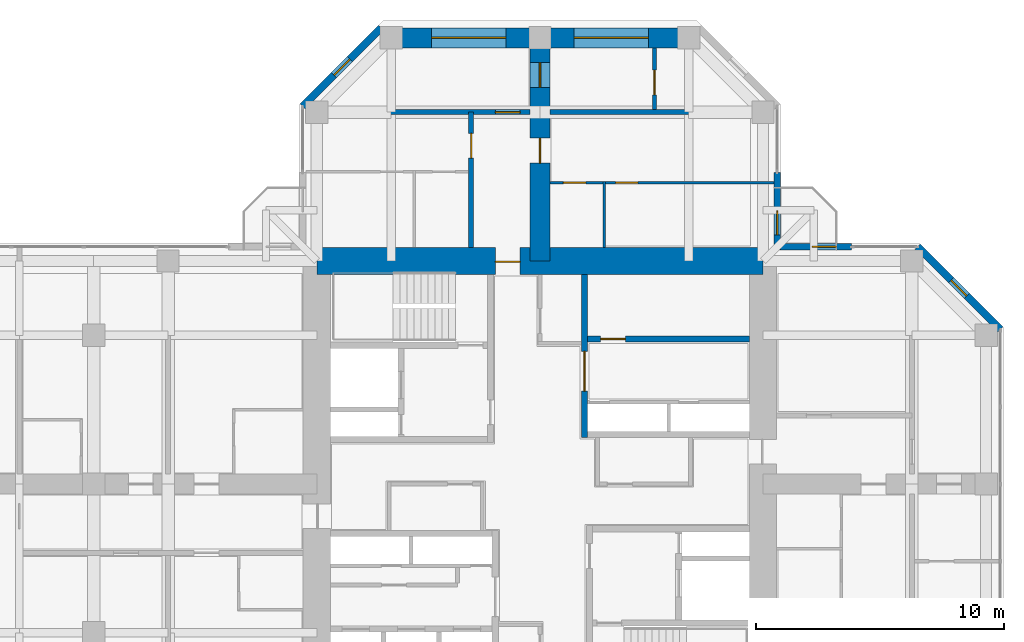
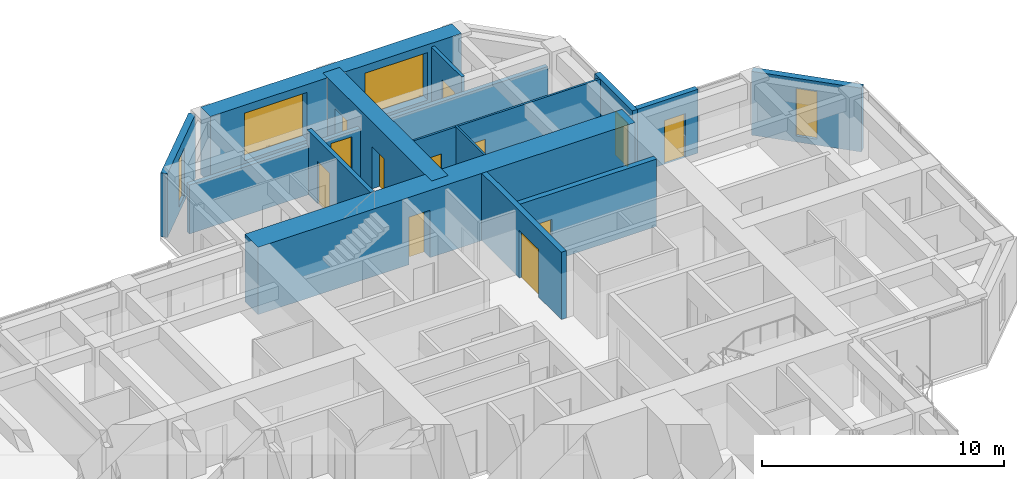
# One storey, part 12 of 14: 15 walls, 12 doors, 4 windows, 16 openings.
"""IFC4 building model written with IfcOpenShell, lengths in metres."""

from ifc_helpers import new_model, si_unit, direction, frame, frame_2d, origin, place, context, subcontext, project, spatial, rectangle, hollow_rectangle, extrude, material, layer, layer_set, constituent, constituent_set, type_object, element, fill, save


model = new_model("IFC4")

# Units and contexts
model_context = context("Model", 3, precision=1e-05, world=origin(), true_north=direction((0.0, 1.0)))
body_context = subcontext(model_context, "Body", "Model", "MODEL_VIEW")
ifc_project = project(units=[si_unit("LENGTHUNIT", "METRE"), si_unit("AREAUNIT", "SQUARE_METRE"), si_unit("VOLUMEUNIT", "CUBIC_METRE"), si_unit("PLANEANGLEUNIT", "RADIAN"), si_unit("MASSUNIT", "GRAM", prefix="KILO")], contexts=[model_context])

# Site, building, storey
site_placement = place(None, origin())
site = spatial("IfcSite", under=ifc_project, at=site_placement, CompositionType="ELEMENT")
building_placement = place(site_placement, origin())
building = spatial("IfcBuilding", under=site, at=building_placement, Name="Torre Cruceta", CompositionType="ELEMENT")
storey_placement = place(building_placement, frame((0.0, 0.0, 210.300048828125)))
storey = spatial("IfcBuildingStorey", under=building, at=storey_placement, Name="L53", CompositionType="ELEMENT", Elevation=210.300048828125)

# Wall
ifc_material_1 = material(Name="Water-resistant plasterboard on steel studs", Category="steel")
ifc_layer_1 = layer(ifc_material_1, 0.10009765625)
ifc_layer_set_1 = layer_set([ifc_layer_1], Name="Water-resistant plasterboard on steel studs")
wall_type_1 = type_object("IfcWallType", Name="BATHROOM WALL 100", PredefinedType="PARTITIONING", material=ifc_layer_set_1)
wall_1_placement = place(storey_placement, frame((2.60009765625, 9.550048828125, 0.0), z_axis=(0.0, 0.0, 1.0), x_axis=(0.0, 1.0, 0.0)))
element("IfcWall", 1, at=wall_1_placement, inside=storey, type_object=wall_type_1, Name="PT4 L53-N-U1RBB", PredefinedType="PARTITIONING", context=body_context, shape_type="SweptSolid", body=[
    extrude(rectangle(XDim=2.64990234375, YDim=0.10009765625, at=frame_2d((1.324951171875, 0.0))), origin(), (0.0, 0.0, 1.0), 3.219970703125),
])

# Wall, openings, doors
wall_2_placement = place(storey_placement, frame((9.445068359375, 12.14990234375, 0.0), z_axis=(0.0, 0.0, 1.0), x_axis=(-1.0, 0.0, 0.0)))
wall_2 = element("IfcWall", 2, at=wall_2_placement, inside=storey, type_object=wall_type_1, Name="PT4 L53-N-U1RBS", PredefinedType="PARTITIONING", context=body_context, shape_type="SweptSolid", body=[
    extrude(rectangle(XDim=9.045166015625, YDim=0.10009765625, at=frame_2d((4.5224609375, 0.0))), origin(), (0.0, 0.0, 1.0), 3.219970703125),
])
opening_1_placement = place(wall_2_placement, frame((5.4951171875, 0.0, 0.0)))
opening_1 = element("IfcOpeningElement", 3, at=opening_1_placement, cuts=wall_2, Name="Opening D7", PredefinedType="OPENING", context=body_context, shape_type="SweptSolid", body=[
    extrude(rectangle(XDim=0.89990234375, YDim=2.10009765625, at=frame_2d((0.449951171875, 1.050048828125))), frame((0.0, 0.06005859375, 0.0), z_axis=(0.0, -1.0, 0.0), x_axis=(1.0, 0.0, 0.0)), (0.0, 0.0, 1.0), 0.1201171875),
])
opening_2_placement = place(wall_2_placement, frame((7.594970703125, 0.0, 0.0)))
opening_2 = element("IfcOpeningElement", 4, at=opening_2_placement, cuts=wall_2, Name="Opening D7", PredefinedType="OPENING", context=body_context, shape_type="SweptSolid", body=[
    extrude(rectangle(XDim=0.89990234375, YDim=2.10009765625, at=frame_2d((0.449951171875, 1.050048828125))), frame((0.0, 0.06005859375, 0.0), z_axis=(0.0, -1.0, 0.0), x_axis=(1.0, 0.0, 0.0)), (0.0, 0.0, 1.0), 0.1201171875),
])
ifc_material_2 = material(Name="Timber door", Category="wood")
door_type_1 = type_object("IfcDoorType", Name="BATHROOM DOOR 900X2100", OperationType="SINGLE_SWING_LEFT", PredefinedType="DOOR", material=ifc_material_2)
door_1_placement = place(opening_1_placement, origin())
door_1 = element("IfcDoor", 5, at=door_1_placement, inside=storey, type_object=door_type_1, Name="D7 L53-N-U1RBS-D1", OperationType="SINGLE_SWING_RIGHT", OverallHeight=2.10009765625, OverallWidth=0.89990234375, PredefinedType="DOOR", context=body_context, shape_type="SweptSolid", body=[
    extrude(rectangle(XDim=0.89990234375, YDim=2.10009765625, at=frame_2d((0.449951171875, 1.050048828125))), frame((0.0, 0.02490234375, 0.0), z_axis=(0.0, -1.0, 0.0), x_axis=(1.0, 0.0, 0.0)), (0.0, 0.0, 1.0), 0.050048828125),
])
fill(opening_1, door_1)
door_2_placement = place(opening_2_placement, origin())
door_2 = element("IfcDoor", 6, at=door_2_placement, inside=storey, type_object=door_type_1, Name="D7 L53-N-U1RBS-D2", OperationType="SINGLE_SWING_RIGHT", OverallHeight=2.10009765625, OverallWidth=0.89990234375, PredefinedType="DOOR", context=body_context, shape_type="SweptSolid", body=[
    extrude(rectangle(XDim=0.89990234375, YDim=2.10009765625, at=frame_2d((0.449951171875, 1.050048828125))), frame((0.0, 0.02490234375, 0.0), z_axis=(0.0, -1.0, 0.0), x_axis=(1.0, 0.0, 0.0)), (0.0, 0.0, 1.0), 0.050048828125),
])
fill(opening_2, door_2)

# Wall, opening, door
ifc_material_3 = material(Name="Concrete G60 (fck 60 MPa)", Category="concrete")
ifc_layer_2 = layer(ifc_material_3, 0.25)
ifc_layer_set_2 = layer_set([ifc_layer_2], Name="Concrete G60 (fck 60 MPa)")
wall_type_2 = type_object("IfcWallType", Name="CORE INNER WALL 250 G60", PredefinedType="SHEAR", material=ifc_layer_set_2)
wall_3_placement = place(storey_placement, frame((1.800048828125, 1.875, 0.0), z_axis=(0.0, 0.0, 1.0), x_axis=(0.0, 1.0, 0.0)))
wall_3 = element("IfcWall", 7, at=wall_3_placement, inside=storey, type_object=wall_type_2, Name="CW4 L53 NE-CU", PredefinedType="SHEAR", context=body_context, shape_type="SweptSolid", body=[
    extrude(rectangle(XDim=6.574951171875, YDim=0.25, at=frame_2d((3.28759765625, 0.0))), origin(), (0.0, 0.0, 1.0), 3.39990234375),
])
opening_3_placement = place(wall_3_placement, frame((1.875, 0.0, 0.0)))
opening_3 = element("IfcOpeningElement", 8, at=opening_3_placement, cuts=wall_3, Name="Opening D15", PredefinedType="OPENING", context=body_context, shape_type="SweptSolid", body=[
    extrude(rectangle(XDim=1.60009765625, YDim=2.39990234375, at=frame_2d((0.800048828125, 1.199951171875))), frame((0.0, 0.135009765625, 0.0), z_axis=(0.0, -1.0, 0.0), x_axis=(1.0, 0.0, 0.0)), (0.0, 0.0, 1.0), 0.27001953125),
])
ifc_material_4 = material(Name="Steel DX51D", Category="steel")
ifc_constituent_1 = constituent(ifc_material_4, Name="Leaf and frame")
ifc_material_5 = material(Name="Polyester powder coating", Category="paint")
ifc_constituent_2 = constituent(ifc_material_5, Name="Finish")
ifc_constituent_set_1 = constituent_set(constituents=[ifc_constituent_1, ifc_constituent_2], Name="Steel fire door")
door_type_2 = type_object("IfcDoorType", Name="CORE ROOM DOUBLE DOOR 1600X2400", OperationType="DOUBLE_DOOR_SINGLE_SWING", PredefinedType="DOOR", material=ifc_constituent_set_1)
door_3_placement = place(opening_3_placement, frame((1.60009765625, 0.0, 0.0), z_axis=(0.0, 0.0, 1.0), x_axis=(-1.0, 0.0, 0.0)))
door_3 = element("IfcDoor", 9, at=door_3_placement, inside=storey, type_object=door_type_2, Name="D15 L53 NE-LOBBY", OperationType="DOUBLE_DOOR_SINGLE_SWING", OverallHeight=2.39990234375, OverallWidth=1.60009765625, PredefinedType="DOOR", context=body_context, shape_type="SweptSolid", body=[
    extrude(rectangle(XDim=1.60009765625, YDim=2.39990234375, at=frame_2d((0.800048828125, 1.199951171875))), frame((0.0, 0.025146484375, 0.0), z_axis=(0.0, -1.0, 0.0), x_axis=(1.0, 0.0, 0.0)), (0.0, 0.0, 1.0), 0.050048828125),
])
fill(opening_3, door_3)

wall_4_placement = place(storey_placement, frame((1.925048828125, 5.85009765625, 0.0), z_axis=(0.0, 0.0, 1.0), x_axis=(1.0, 0.0, 0.0)))
wall_4 = element("IfcWall", 10, at=wall_4_placement, inside=storey, type_object=wall_type_2, Name="CW4 L53 NE-LV", PredefinedType="SHEAR", context=body_context, shape_type="SweptSolid", body=[
    extrude(rectangle(XDim=6.52490234375, YDim=0.25, at=frame_2d((3.262451171875, 0.0))), origin(), (0.0, 0.0, 1.0), 3.39990234375),
])
opening_4_placement = place(wall_4_placement, frame((0.520751953125, 0.0, 0.0)))
opening_4 = element("IfcOpeningElement", 11, at=opening_4_placement, cuts=wall_4, Name="Opening D3", PredefinedType="OPENING", context=body_context, shape_type="SweptSolid", body=[
    extrude(rectangle(XDim=1.0, YDim=2.10009765625, at=frame_2d((0.5, 1.050048828125))), frame((0.0, 0.135009765625, 0.0), z_axis=(0.0, -1.0, 0.0), x_axis=(1.0, 0.0, 0.0)), (0.0, 0.0, 1.0), 0.27001953125),
])
ifc_material_6 = material(Name="Steel DX51D", Category="steel")
ifc_constituent_3 = constituent(ifc_material_6, Name="Leaf and frame")
ifc_material_7 = material(Name="Polyester powder coating", Category="paint")
ifc_constituent_4 = constituent(ifc_material_7, Name="Finish")
ifc_constituent_set_2 = constituent_set(constituents=[ifc_constituent_3, ifc_constituent_4], Name="Steel fire door")
door_type_3 = type_object("IfcDoorType", Name="FIRE DOOR 1000X2100", OperationType="SINGLE_SWING_LEFT", PredefinedType="DOOR", material=ifc_constituent_set_2)
door_4_placement = place(opening_4_placement, origin())
door_4 = element("IfcDoor", 12, at=door_4_placement, inside=storey, type_object=door_type_3, Name="D3 L53 NE-HR1", OperationType="SINGLE_SWING_LEFT", OverallHeight=2.10009765625, OverallWidth=1.0, PredefinedType="DOOR", context=body_context, shape_type="SweptSolid", body=[
    extrude(rectangle(XDim=1.0, YDim=2.10009765625, at=frame_2d((0.5, 1.050048828125))), frame((0.0, 0.02490234375, 0.0), z_axis=(0.0, -1.0, 0.0), x_axis=(1.0, 0.0, 0.0)), (0.0, 0.0, 1.0), 0.050048828125),
])
fill(opening_4, door_4)

ifc_material_8 = material(Name="Concrete G60 (fck 60 MPa)", Category="concrete")
ifc_layer_3 = layer(ifc_material_8, 1.10009765625)
ifc_layer_set_3 = layer_set([ifc_layer_3], Name="Concrete G60 (fck 60 MPa)")
wall_type_3 = type_object("IfcWallType", Name="CORE WALL 1100 G60", PredefinedType="SHEAR", material=ifc_layer_set_3)
wall_5_placement = place(storey_placement, frame((9.0, 9.0, 0.0), z_axis=(0.0, 0.0, 1.0), x_axis=(-1.0, 0.0, 0.0)))
wall_5 = element("IfcWall", 13, at=wall_5_placement, inside=storey, type_object=wall_type_3, Name="CW2 L53 CW-N", PredefinedType="SHEAR", context=body_context, shape_type="SweptSolid", body=[
    extrude(rectangle(XDim=18.0, YDim=1.10009765625, at=frame_2d((9.0, 0.0))), origin(), (0.0, 0.0, 1.0), 3.39990234375),
])
opening_5_placement = place(wall_5_placement, frame((9.800048828125, 0.0, 0.0)))
opening_5 = element("IfcOpeningElement", 14, at=opening_5_placement, cuts=wall_5, Name="Opening D4", PredefinedType="OPENING", context=body_context, shape_type="SweptSolid", body=[
    extrude(rectangle(XDim=1.0, YDim=2.39990234375, at=frame_2d((0.5, 1.199951171875))), frame((0.0, 0.56005859375, 0.0), z_axis=(0.0, -1.0, 0.0), x_axis=(1.0, 0.0, 0.0)), (0.0, 0.0, 1.0), 1.1201171875),
])
ifc_material_9 = material(Name="Steel DX51D", Category="steel")
ifc_constituent_5 = constituent(ifc_material_9, Name="Leaf and frame")
ifc_material_10 = material(Name="Polyester powder coating", Category="paint")
ifc_constituent_6 = constituent(ifc_material_10, Name="Finish")
ifc_constituent_set_3 = constituent_set(constituents=[ifc_constituent_5, ifc_constituent_6], Name="Steel fire door")
door_type_4 = type_object("IfcDoorType", Name="CORE ARM DOOR 1000X2400", OperationType="SINGLE_SWING_RIGHT", PredefinedType="DOOR", material=ifc_constituent_set_3)
door_5_placement = place(opening_5_placement, origin())
door_5 = element("IfcDoor", 15, at=door_5_placement, inside=storey, type_object=door_type_4, Name="D4 L53 CW-N", OperationType="SINGLE_SWING_RIGHT", OverallHeight=2.39990234375, OverallWidth=1.0, PredefinedType="DOOR", context=body_context, shape_type="SweptSolid", body=[
    extrude(rectangle(XDim=1.0, YDim=2.39990234375, at=frame_2d((0.5, 1.199951171875))), frame((0.0, 0.05517578125, 0.0), z_axis=(0.0, -1.0, 0.0), x_axis=(1.0, 0.0, 0.0)), (0.0, 0.0, 1.0), 0.050048828125),
])
fill(opening_5, door_5)

ifc_material_11 = material(Name="Concrete G25 (fck 25 MPa)", Category="concrete")
ifc_layer_4 = layer(ifc_material_11, 0.199951171875)
ifc_layer_set_4 = layer_set([ifc_layer_4], Name="Concrete G25 (fck 25 MPa)")
wall_type_4 = type_object("IfcWallType", Name="CORRIDOR WALL 200", PredefinedType="SOLIDWALL", material=ifc_layer_set_4)
wall_6_placement = place(storey_placement, frame((-2.77490234375, 9.550048828125, 0.0), z_axis=(0.0, 0.0, 1.0), x_axis=(0.0, 1.0, 0.0)))
wall_6 = element("IfcWall", 16, at=wall_6_placement, inside=storey, type_object=wall_type_4, Name="PT3 L53-N-CL", PredefinedType="SOLIDWALL", context=body_context, shape_type="SweptSolid", body=[
    extrude(rectangle(XDim=5.449951171875, YDim=0.199951171875, at=frame_2d((2.72509765625, 0.0))), origin(), (0.0, 0.0, 1.0), 3.219970703125),
])
opening_6_placement = place(wall_6_placement, frame((3.60009765625, 0.0, 0.0)))
opening_6 = element("IfcOpeningElement", 17, at=opening_6_placement, cuts=wall_6, Name="Opening D6", PredefinedType="OPENING", context=body_context, shape_type="SweptSolid", body=[
    extrude(rectangle(XDim=1.0, YDim=2.14990234375, at=frame_2d((0.5, 1.074951171875))), frame((0.0, 0.10986328125, 0.0), z_axis=(0.0, -1.0, 0.0), x_axis=(1.0, 0.0, 0.0)), (0.0, 0.0, 1.0), 0.219970703125),
])
ifc_material_12 = material(Name="Timber fire door", Category="wood")
door_type_5 = type_object("IfcDoorType", Name="UNIT ENTRANCE DOOR 1000X2150", OperationType="SINGLE_SWING_LEFT", PredefinedType="DOOR", material=ifc_material_12)
door_6_placement = place(opening_6_placement, origin())
door_6 = element("IfcDoor", 18, at=door_6_placement, inside=storey, type_object=door_type_5, Name="D6 L53-N-CL-D1", OperationType="SINGLE_SWING_LEFT", OverallHeight=2.14990234375, OverallWidth=1.0, PredefinedType="DOOR", context=body_context, shape_type="SweptSolid", body=[
    extrude(rectangle(XDim=1.0, YDim=2.14990234375, at=frame_2d((0.5, 1.074951171875))), frame((0.0, 0.02490234375, 0.0), z_axis=(0.0, -1.0, 0.0), x_axis=(1.0, 0.0, 0.0)), (0.0, 0.0, 1.0), 0.050048828125),
])
fill(opening_6, door_6)

# Wall, opening, window
ifc_material_13 = material(Name="Concrete G30 (fck 30 MPa)", Category="concrete")
ifc_layer_5 = layer(ifc_material_13, 0.300048828125)
ifc_layer_set_5 = layer_set([ifc_layer_5], Name="Concrete G30 (fck 30 MPa)")
wall_type_5 = type_object("IfcWallType", Name="EXPOSED CONCRETE FACADE WALL 300", PredefinedType="SOLIDWALL", material=ifc_layer_set_5)
wall_7_placement = place(storey_placement, frame((18.570068359375, 6.236083984375, 0.0), z_axis=(0.0, 0.0, 1.0), x_axis=(-0.707106781187, 0.707106781187, 0.0)))
wall_7 = element("IfcWall", 19, at=wall_7_placement, inside=storey, type_object=wall_type_5, Name="EW1 facade wall L53 E chamfer 03", PredefinedType="SOLIDWALL", context=body_context, shape_type="SweptSolid", body=[
    extrude(rectangle(XDim=4.715087890625, YDim=0.300048828125, at=frame_2d((2.357421875, 0.0))), origin(), (0.0, 0.0, 1.0), 3.219970703125),
])
opening_7_placement = place(wall_7_placement, frame((1.907470703125, 0.0, 0.300048828125)))
opening_7 = element("IfcOpeningElement", 20, at=opening_7_placement, cuts=wall_7, Name="Opening WN5", PredefinedType="OPENING", context=body_context, shape_type="SweptSolid", body=[
    extrude(rectangle(XDim=0.89990234375, YDim=2.39990234375, at=frame_2d((0.449951171875, 1.199951171875))), frame((0.0, 0.159912109375, 0.0), z_axis=(0.0, -1.0, 0.0), x_axis=(1.0, 0.0, 0.0)), (0.0, 0.0, 1.0), 0.320068359375),
])
ifc_material_14 = material(Name="Aluminium window frame", Category="aluminium")
ifc_constituent_7 = constituent(ifc_material_14, Name="Frame")
ifc_material_15 = material(Name="Laminated insulating glass unit, low-iron clear", Category="glass")
ifc_constituent_8 = constituent(ifc_material_15, Name="Glazing")
ifc_constituent_set_4 = constituent_set(constituents=[ifc_constituent_7, ifc_constituent_8], Name="Aluminium window")
window_type_1 = type_object("IfcWindowType", Name="CHAMFER SLOT WINDOW 900X2400", PartitioningType="SINGLE_PANEL", PredefinedType="WINDOW", material=ifc_constituent_set_4)
window_1_placement = place(opening_7_placement, origin())
window_1 = element("IfcWindow", 21, at=window_1_placement, inside=storey, type_object=window_type_1, Name="WN5 L53 E 1", OverallHeight=2.39990234375, OverallWidth=0.89990234375, PartitioningType="SINGLE_PANEL", PredefinedType="WINDOW", context=body_context, shape_type="SweptSolid", body=[
    extrude(hollow_rectangle(XDim=0.89990234375, YDim=2.39990234375, WallThickness=0.06005859375, at=frame_2d((0.449951171875, 1.199951171875))), frame((0.0, 0.030029296875, 0.0), z_axis=(0.0, -1.0, 0.0), x_axis=(1.0, 0.0, 0.0)), (0.0, 0.0, 1.0), 0.06005859375),
    extrude(rectangle(XDim=0.77880859375, YDim=2.27880859375, at=frame_2d((0.449951171875, 1.199951171875))), frame((0.0, 0.030029296875, 0.0), z_axis=(0.0, -1.0, 0.0), x_axis=(1.0, 0.0, 0.0)), (0.0, 0.0, 1.0), 0.06005859375),
])
fill(opening_7, window_1)

wall_8_placement = place(storey_placement, frame((-6.406005859375, 18.39990234375, 0.0), z_axis=(0.0, 0.0, 1.0), x_axis=(-0.707134062067, -0.707079499254, 0.0)))
wall_8 = element("IfcWall", 22, at=wall_8_placement, inside=storey, type_object=wall_type_5, Name="EW1 facade wall L53 N chamfer 08", PredefinedType="SOLIDWALL", context=body_context, shape_type="SweptSolid", body=[
    extrude(rectangle(XDim=4.474609375, YDim=0.300048828125, at=frame_2d((2.2373046875, 0.0))), origin(), (0.0, 0.0, 1.0), 3.219970703125),
])
opening_8_placement = place(wall_8_placement, frame((1.787109375, 0.0, 0.300048828125)))
opening_8 = element("IfcOpeningElement", 23, at=opening_8_placement, cuts=wall_8, Name="Opening WN5", PredefinedType="OPENING", context=body_context, shape_type="SweptSolid", body=[
    extrude(rectangle(XDim=0.89990234375, YDim=2.39990234375, at=frame_2d((0.449951171875, 1.199951171875))), frame((0.0, 0.159912109375, 0.0), z_axis=(0.0, -1.0, 0.0), x_axis=(1.0, 0.0, 0.0)), (0.0, 0.0, 1.0), 0.320068359375),
])
window_2_placement = place(opening_8_placement, origin())
window_2 = element("IfcWindow", 24, at=window_2_placement, inside=storey, type_object=window_type_1, Name="WN5 L53 N 1", OverallHeight=2.39990234375, OverallWidth=0.89990234375, PartitioningType="SINGLE_PANEL", PredefinedType="WINDOW", context=body_context, shape_type="SweptSolid", body=[
    extrude(hollow_rectangle(XDim=0.89990234375, YDim=2.39990234375, WallThickness=0.06005859375, at=frame_2d((0.449951171875, 1.199951171875))), frame((0.0, 0.030029296875, 0.0), z_axis=(0.0, -1.0, 0.0), x_axis=(1.0, 0.0, 0.0)), (0.0, 0.0, 1.0), 0.06005859375),
    extrude(rectangle(XDim=0.77880859375, YDim=2.27880859375, at=frame_2d((0.449951171875, 1.199951171875))), frame((0.0, 0.030029296875, 0.0), z_axis=(0.0, -1.0, 0.0), x_axis=(1.0, 0.0, 0.0)), (0.0, 0.0, 1.0), 0.06005859375),
])
fill(opening_8, window_2)

# Wall, openings, windows
ifc_material_16 = material(Name="Concrete G60 (fck 60 MPa)", Category="concrete")
ifc_layer_6 = layer(ifc_material_16, 0.800048828125)
ifc_layer_set_6 = layer_set([ifc_layer_6], Name="Concrete G60 (fck 60 MPa)")
wall_type_6 = type_object("IfcWallType", Name="NOSE WALL 800 G60", PredefinedType="SHEAR", material=ifc_layer_set_6)
wall_9_placement = place(storey_placement, frame((6.0, 18.0, 0.0), z_axis=(0.0, 0.0, 1.0), x_axis=(-1.0, 0.0, 0.0)))
wall_9 = element("IfcWall", 25, at=wall_9_placement, inside=storey, type_object=wall_type_6, Name="NW2 nose wall L53 N", PredefinedType="SHEAR", context=body_context, shape_type="SweptSolid", body=[
    extrude(rectangle(XDim=12.0, YDim=0.800048828125, at=frame_2d((6.0, 0.0))), origin(), (0.0, 0.0, 1.0), 3.39990234375),
])
opening_9_placement = place(wall_9_placement, frame((1.625, 0.0, 0.60009765625)))
opening_9 = element("IfcOpeningElement", 26, at=opening_9_placement, cuts=wall_9, Name="Opening WN6", PredefinedType="OPENING", context=body_context, shape_type="SweptSolid", body=[
    extrude(rectangle(XDim=3.0, YDim=2.39990234375, at=frame_2d((1.5, 1.199951171875))), frame((0.0, 0.409912109375, 0.0), z_axis=(0.0, -1.0, 0.0), x_axis=(1.0, 0.0, 0.0)), (0.0, 0.0, 1.0), 0.820068359375),
])
opening_10_placement = place(wall_9_placement, frame((7.375, 0.0, 0.60009765625)))
opening_10 = element("IfcOpeningElement", 27, at=opening_10_placement, cuts=wall_9, Name="Opening WN6", PredefinedType="OPENING", context=body_context, shape_type="SweptSolid", body=[
    extrude(rectangle(XDim=3.0, YDim=2.39990234375, at=frame_2d((1.5, 1.199951171875))), frame((0.0, 0.409912109375, 0.0), z_axis=(0.0, -1.0, 0.0), x_axis=(1.0, 0.0, 0.0)), (0.0, 0.0, 1.0), 0.820068359375),
])
ifc_material_17 = material(Name="Aluminium window frame", Category="aluminium")
ifc_constituent_9 = constituent(ifc_material_17, Name="Frame")
ifc_material_18 = material(Name="Laminated insulating glass unit, low-iron clear", Category="glass")
ifc_constituent_10 = constituent(ifc_material_18, Name="Glazing")
ifc_constituent_set_5 = constituent_set(constituents=[ifc_constituent_9, ifc_constituent_10], Name="Aluminium window")
window_type_2 = type_object("IfcWindowType", Name="NOSE WALL WINDOW 3000X2400", PartitioningType="SINGLE_PANEL", PredefinedType="WINDOW", material=ifc_constituent_set_5)
window_3_placement = place(opening_9_placement, origin())
window_3 = element("IfcWindow", 28, at=window_3_placement, inside=storey, type_object=window_type_2, Name="WN6 L53 N 1", OverallHeight=2.39990234375, OverallWidth=3.0, PartitioningType="SINGLE_PANEL", PredefinedType="WINDOW", context=body_context, shape_type="SweptSolid", body=[
    extrude(hollow_rectangle(XDim=3.0, YDim=2.39990234375, WallThickness=0.06005859375, at=frame_2d((1.5, 1.199951171875))), frame((0.0, 0.030029296875, 0.0), z_axis=(0.0, -1.0, 0.0), x_axis=(1.0, 0.0, 0.0)), (0.0, 0.0, 1.0), 0.06005859375),
    extrude(rectangle(XDim=2.87890625, YDim=2.27880859375, at=frame_2d((1.5, 1.199951171875))), frame((0.0, 0.030029296875, 0.0), z_axis=(0.0, -1.0, 0.0), x_axis=(1.0, 0.0, 0.0)), (0.0, 0.0, 1.0), 0.06005859375),
])
fill(opening_9, window_3)
window_4_placement = place(opening_10_placement, origin())
window_4 = element("IfcWindow", 29, at=window_4_placement, inside=storey, type_object=window_type_2, Name="WN6 L53 N 2", OverallHeight=2.39990234375, OverallWidth=3.0, PartitioningType="SINGLE_PANEL", PredefinedType="WINDOW", context=body_context, shape_type="SweptSolid", body=[
    extrude(hollow_rectangle(XDim=3.0, YDim=2.39990234375, WallThickness=0.06005859375, at=frame_2d((1.5, 1.199951171875))), frame((0.0, 0.030029296875, 0.0), z_axis=(0.0, -1.0, 0.0), x_axis=(1.0, 0.0, 0.0)), (0.0, 0.0, 1.0), 0.06005859375),
    extrude(rectangle(XDim=2.87890625, YDim=2.27880859375, at=frame_2d((1.5, 1.199951171875))), frame((0.0, 0.030029296875, 0.0), z_axis=(0.0, -1.0, 0.0), x_axis=(1.0, 0.0, 0.0)), (0.0, 0.0, 1.0), 0.06005859375),
])
fill(opening_10, window_4)

# Wall, opening, door
ifc_material_19 = material(Name="Plasterboard on steel studs", Category="steel")
ifc_layer_7 = layer(ifc_material_19, 0.14990234375)
ifc_layer_set_7 = layer_set([ifc_layer_7], Name="Plasterboard on steel studs")
wall_type_7 = type_object("IfcWallType", Name="PARTITION 150", PredefinedType="PARTITIONING", material=ifc_layer_set_7)
wall_10_placement = place(storey_placement, frame((4.625, 15.10009765625, 0.0), z_axis=(0.0, 0.0, 1.0), x_axis=(0.0, 1.0, 0.0)))
wall_10 = element("IfcWall", 30, at=wall_10_placement, inside=storey, type_object=wall_type_7, Name="PT1 L53-N-END2X", PredefinedType="PARTITIONING", context=body_context, shape_type="SweptSolid", body=[
    extrude(rectangle(XDim=2.5, YDim=0.14990234375, at=frame_2d((1.25, 0.0))), origin(), (0.0, 0.0, 1.0), 3.219970703125),
])
opening_11_placement = place(wall_10_placement, frame((0.60009765625, 0.0, 0.0)))
opening_11 = element("IfcOpeningElement", 31, at=opening_11_placement, cuts=wall_10, Name="Opening D3", PredefinedType="OPENING", context=body_context, shape_type="SweptSolid", body=[
    extrude(rectangle(XDim=1.0, YDim=2.10009765625, at=frame_2d((0.5, 1.050048828125))), frame((0.0, 0.0849609375, 0.0), z_axis=(0.0, -1.0, 0.0), x_axis=(1.0, 0.0, 0.0)), (0.0, 0.0, 1.0), 0.169921875),
])
door_7_placement = place(opening_11_placement, frame((1.0, 0.0, 0.0), z_axis=(0.0, 0.0, 1.0), x_axis=(-1.0, 0.0, 0.0)))
door_7 = element("IfcDoor", 32, at=door_7_placement, inside=storey, type_object=door_type_3, Name="D3 L53-N-END2X-D1", OperationType="SINGLE_SWING_RIGHT", OverallHeight=2.10009765625, OverallWidth=1.0, PredefinedType="DOOR", context=body_context, shape_type="SweptSolid", body=[
    extrude(rectangle(XDim=1.0, YDim=2.10009765625, at=frame_2d((0.5, 1.050048828125))), frame((0.0, 0.025146484375, 0.0), z_axis=(0.0, -1.0, 0.0), x_axis=(1.0, 0.0, 0.0)), (0.0, 0.0, 1.0), 0.050048828125),
])
fill(opening_11, door_7)

# Wall, openings, doors
ifc_material_20 = material(Name="Concrete G60 (fck 60 MPa)", Category="concrete")
ifc_layer_8 = layer(ifc_material_20, 0.800048828125)
ifc_layer_set_8 = layer_set([ifc_layer_8], Name="Concrete G60 (fck 60 MPa)")
wall_type_8 = type_object("IfcWallType", Name="SPINE WALL 800 G60", PredefinedType="SHEAR", material=ifc_layer_set_8)
wall_11_placement = place(storey_placement, frame((0.0, 9.0, 0.0), z_axis=(0.0, 0.0, 1.0), x_axis=(0.0, 1.0, 0.0)))
wall_11 = element("IfcWall", 33, at=wall_11_placement, inside=storey, type_object=wall_type_8, Name="SW4 spine wall L53 N", PredefinedType="SHEAR", context=body_context, shape_type="SweptSolid", body=[
    extrude(rectangle(XDim=9.0, YDim=0.800048828125, at=frame_2d((4.5, 0.0))), origin(), (0.0, 0.0, 1.0), 3.39990234375),
])
opening_12_placement = place(wall_11_placement, frame((3.949951171875, 0.0, 0.0)))
opening_12 = element("IfcOpeningElement", 34, at=opening_12_placement, cuts=wall_11, Name="Opening D6", PredefinedType="OPENING", context=body_context, shape_type="SweptSolid", body=[
    extrude(rectangle(XDim=1.0, YDim=2.14990234375, at=frame_2d((0.5, 1.074951171875))), frame((0.0, 0.409912109375, 0.0), z_axis=(0.0, -1.0, 0.0), x_axis=(1.0, 0.0, 0.0)), (0.0, 0.0, 1.0), 0.820068359375),
])
opening_13_placement = place(wall_11_placement, frame((7.0, 0.0, 0.0)))
opening_13 = element("IfcOpeningElement", 35, at=opening_13_placement, cuts=wall_11, Name="Opening D14", PredefinedType="OPENING", context=body_context, shape_type="SweptSolid", body=[
    extrude(rectangle(XDim=1.0, YDim=2.199951171875, at=frame_2d((0.5, 1.10009765625))), frame((0.0, 0.409912109375, 0.0), z_axis=(0.0, -1.0, 0.0), x_axis=(1.0, 0.0, 0.0)), (0.0, 0.0, 1.0), 0.820068359375),
])
ifc_material_21 = material(Name="Steel DX51D", Category="steel")
ifc_constituent_11 = constituent(ifc_material_21, Name="Leaf and frame")
ifc_material_22 = material(Name="Polyester powder coating", Category="paint")
ifc_constituent_12 = constituent(ifc_material_22, Name="Finish")
ifc_material_23 = material(Name="Fire-resisting glass", Category="glass")
ifc_constituent_13 = constituent(ifc_material_23, Name="Vision panel")
ifc_constituent_set_6 = constituent_set(constituents=[ifc_constituent_11, ifc_constituent_12, ifc_constituent_13], Name="Steel fire door with vision panel")
door_type_6 = type_object("IfcDoorType", Name="FIRE DOOR VISION PANEL 1000X2200", OperationType="SINGLE_SWING_RIGHT", PredefinedType="DOOR", material=ifc_constituent_set_6)
door_8_placement = place(opening_13_placement, frame((1.0, 0.0, 0.0), z_axis=(0.0, 0.0, 1.0), x_axis=(-1.0, 0.0, 0.0)))
door_8 = element("IfcDoor", 36, at=door_8_placement, inside=storey, type_object=door_type_6, Name="D14 L53-N-SP2", OperationType="SINGLE_SWING_LEFT", OverallHeight=2.199951171875, OverallWidth=1.0, PredefinedType="DOOR", context=body_context, shape_type="SweptSolid", body=[
    extrude(rectangle(XDim=1.0, YDim=2.199951171875, at=frame_2d((0.5, 1.10009765625))), frame((0.0, 0.025146484375, 0.0), z_axis=(0.0, -1.0, 0.0), x_axis=(1.0, 0.0, 0.0)), (0.0, 0.0, 1.0), 0.050048828125),
])
fill(opening_13, door_8)
door_9_placement = place(opening_12_placement, frame((1.0, 0.0, 0.0), z_axis=(0.0, 0.0, 1.0), x_axis=(-1.0, 0.0, 0.0)))
door_9 = element("IfcDoor", 37, at=door_9_placement, inside=storey, type_object=door_type_5, Name="D6 L53-N-SP1", OperationType="SINGLE_SWING_RIGHT", OverallHeight=2.14990234375, OverallWidth=1.0, PredefinedType="DOOR", context=body_context, shape_type="SweptSolid", body=[
    extrude(rectangle(XDim=1.0, YDim=2.14990234375, at=frame_2d((0.5, 1.074951171875))), frame((0.0, 0.025146484375, 0.0), z_axis=(0.0, -1.0, 0.0), x_axis=(1.0, 0.0, 0.0)), (0.0, 0.0, 1.0), 0.050048828125),
])
fill(opening_12, door_9)

# Wall
ifc_material_24 = material(Name="Concrete G25 (fck 25 MPa)", Category="concrete")
ifc_layer_9 = layer(ifc_material_24, 0.199951171875)
ifc_layer_set_9 = layer_set([ifc_layer_9], Name="Concrete G25 (fck 25 MPa)")
wall_type_9 = type_object("IfcWallType", Name="UNIT SEPARATING WALL 200", PredefinedType="SOLIDWALL", material=ifc_layer_set_9)
wall_12_placement = place(storey_placement, frame((8.550048828125, 15.0, 0.0), z_axis=(0.0, 0.0, 1.0), x_axis=(-1.0, 0.0, 0.0)))
element("IfcWall", 38, at=wall_12_placement, inside=storey, type_object=wall_type_9, Name="PT2 L53-N-ENDa", PredefinedType="SOLIDWALL", context=body_context, shape_type="SweptSolid", body=[
    extrude(rectangle(XDim=8.150146484375, YDim=0.199951171875, at=frame_2d((4.0751953125, 0.0))), origin(), (0.0, 0.0, 1.0), 2.469970703125),
])

# Wall, opening, door
wall_13_placement = place(storey_placement, frame((-0.39990234375, 15.0, 0.0), z_axis=(0.0, 0.0, 1.0), x_axis=(-1.0, 0.0, 0.0)))
wall_13 = element("IfcWall", 39, at=wall_13_placement, inside=storey, type_object=wall_type_9, Name="PT2 L53-N-ENDb", PredefinedType="SOLIDWALL", context=body_context, shape_type="SweptSolid", body=[
    extrude(rectangle(XDim=8.150146484375, YDim=0.199951171875, at=frame_2d((4.0751953125, 0.0))), origin(), (0.0, 0.0, 1.0), 2.469970703125),
])
opening_14_placement = place(wall_13_placement, frame((0.39990234375, 0.0, 0.0)))
opening_14 = element("IfcOpeningElement", 40, at=opening_14_placement, cuts=wall_13, Name="Opening D14", PredefinedType="OPENING", context=body_context, shape_type="SweptSolid", body=[
    extrude(rectangle(XDim=1.0, YDim=2.199951171875, at=frame_2d((0.5, 1.10009765625))), frame((0.0, 0.10986328125, 0.0), z_axis=(0.0, -1.0, 0.0), x_axis=(1.0, 0.0, 0.0)), (0.0, 0.0, 1.0), 0.219970703125),
])
door_10_placement = place(opening_14_placement, frame((1.0, 0.0, 0.0), z_axis=(0.0, 0.0, 1.0), x_axis=(-1.0, 0.0, 0.0)))
door_10 = element("IfcDoor", 41, at=door_10_placement, inside=storey, type_object=door_type_6, Name="D14 L53-N-ENDb-D1", OperationType="SINGLE_SWING_RIGHT", OverallHeight=2.199951171875, OverallWidth=1.0, PredefinedType="DOOR", context=body_context, shape_type="SweptSolid", body=[
    extrude(rectangle(XDim=1.0, YDim=2.199951171875, at=frame_2d((0.5, 1.10009765625))), frame((0.0, 0.025146484375, 0.0), z_axis=(0.0, -1.0, 0.0), x_axis=(1.0, 0.0, 0.0)), (0.0, 0.0, 1.0), 0.050048828125),
])
fill(opening_14, door_10)

ifc_material_25 = material(Name="Concrete G30 (fck 30 MPa)", Category="concrete")
ifc_layer_10 = layer(ifc_material_25, 0.25)
ifc_layer_set_10 = layer_set([ifc_layer_10], Name="Concrete G30 (fck 30 MPa)")
wall_type_10 = type_object("IfcWallType", Name="WINTER GARDEN WALL 250", PredefinedType="SOLIDWALL", material=ifc_layer_set_10)
wall_14_placement = place(storey_placement, frame((12.570068359375, 9.570068359375, 0.0), z_axis=(0.0, 0.0, 1.0), x_axis=(-1.0, 0.0, 0.0)))
wall_14 = element("IfcWall", 42, at=wall_14_placement, inside=storey, type_object=wall_type_10, Name="EW2 winter garden wall L53 04", PredefinedType="SOLIDWALL", context=body_context, shape_type="SweptSolid", body=[
    extrude(rectangle(XDim=2.875, YDim=0.25, at=frame_2d((1.4375, 0.0))), origin(), (0.0, 0.0, 1.0), 3.219970703125),
])
opening_15_placement = place(wall_14_placement, frame((0.60009765625, 0.0, 0.0)))
opening_15 = element("IfcOpeningElement", 43, at=opening_15_placement, cuts=wall_14, Name="Opening D10", PredefinedType="OPENING", context=body_context, shape_type="SweptSolid", body=[
    extrude(rectangle(XDim=1.0, YDim=2.199951171875, at=frame_2d((0.5, 1.10009765625))), frame((0.0, 0.135009765625, 0.0), z_axis=(0.0, -1.0, 0.0), x_axis=(1.0, 0.0, 0.0)), (0.0, 0.0, 1.0), 0.27001953125),
])
ifc_material_26 = material(Name="Aluminium door frame", Category="aluminium")
ifc_constituent_14 = constituent(ifc_material_26, Name="Frame")
ifc_material_27 = material(Name="Laminated safety glass", Category="glass")
ifc_constituent_15 = constituent(ifc_material_27, Name="Glazing")
ifc_constituent_set_7 = constituent_set(constituents=[ifc_constituent_14, ifc_constituent_15], Name="Aluminium glazed door")
door_type_7 = type_object("IfcDoorType", Name="BALCONY DOOR 1000X2200", OperationType="SINGLE_SWING_RIGHT", PredefinedType="DOOR", material=ifc_constituent_set_7)
door_11_placement = place(opening_15_placement, origin())
door_11 = element("IfcDoor", 44, at=door_11_placement, inside=storey, type_object=door_type_7, Name="D10 balcony door L53 04", OperationType="SINGLE_SWING_RIGHT", OverallHeight=2.199951171875, OverallWidth=1.0, PredefinedType="DOOR", context=body_context, shape_type="SweptSolid", body=[
    extrude(hollow_rectangle(XDim=1.0, YDim=2.199951171875, WallThickness=0.06005859375, at=frame_2d((0.5, 1.10009765625))), frame((0.0, 0.02490234375, 0.0), z_axis=(0.0, -1.0, 0.0), x_axis=(1.0, 0.0, 0.0)), (0.0, 0.0, 1.0), 0.050048828125),
    extrude(rectangle(XDim=0.87890625, YDim=2.078857421875, at=frame_2d((0.5, 1.10009765625))), frame((0.0, 0.02490234375, 0.0), z_axis=(0.0, -1.0, 0.0), x_axis=(1.0, 0.0, 0.0)), (0.0, 0.0, 1.0), 0.050048828125),
])
fill(opening_15, door_11)

wall_15_placement = place(storey_placement, frame((9.570068359375, 9.445068359375, 0.0), z_axis=(0.0, 0.0, 1.0), x_axis=(0.0, 1.0, 0.0)))
wall_15 = element("IfcWall", 45, at=wall_15_placement, inside=storey, type_object=wall_type_10, Name="EW2 winter garden wall L53 05", PredefinedType="SOLIDWALL", context=body_context, shape_type="SweptSolid", body=[
    extrude(rectangle(XDim=3.125, YDim=0.25, at=frame_2d((1.5625, 0.0))), origin(), (0.0, 0.0, 1.0), 3.219970703125),
])
opening_16_placement = place(wall_15_placement, frame((0.60009765625, 0.0, 0.0)))
opening_16 = element("IfcOpeningElement", 46, at=opening_16_placement, cuts=wall_15, Name="Opening D10", PredefinedType="OPENING", context=body_context, shape_type="SweptSolid", body=[
    extrude(rectangle(XDim=1.0, YDim=2.199951171875, at=frame_2d((0.5, 1.10009765625))), frame((0.0, 0.135009765625, 0.0), z_axis=(0.0, -1.0, 0.0), x_axis=(1.0, 0.0, 0.0)), (0.0, 0.0, 1.0), 0.27001953125),
])
door_12_placement = place(opening_16_placement, origin())
door_12 = element("IfcDoor", 47, at=door_12_placement, inside=storey, type_object=door_type_7, Name="D10 balcony door L53 05", OperationType="SINGLE_SWING_LEFT", OverallHeight=2.199951171875, OverallWidth=1.0, PredefinedType="DOOR", context=body_context, shape_type="SweptSolid", body=[
    extrude(hollow_rectangle(XDim=1.0, YDim=2.199951171875, WallThickness=0.06005859375, at=frame_2d((0.5, 1.10009765625))), frame((0.0, 0.02490234375, 0.0), z_axis=(0.0, -1.0, 0.0), x_axis=(1.0, 0.0, 0.0)), (0.0, 0.0, 1.0), 0.050048828125),
    extrude(rectangle(XDim=0.87890625, YDim=2.078857421875, at=frame_2d((0.5, 1.10009765625))), frame((0.0, 0.02490234375, 0.0), z_axis=(0.0, -1.0, 0.0), x_axis=(1.0, 0.0, 0.0)), (0.0, 0.0, 1.0), 0.050048828125),
])
fill(opening_16, door_12)

save(model, "model.ifc")
